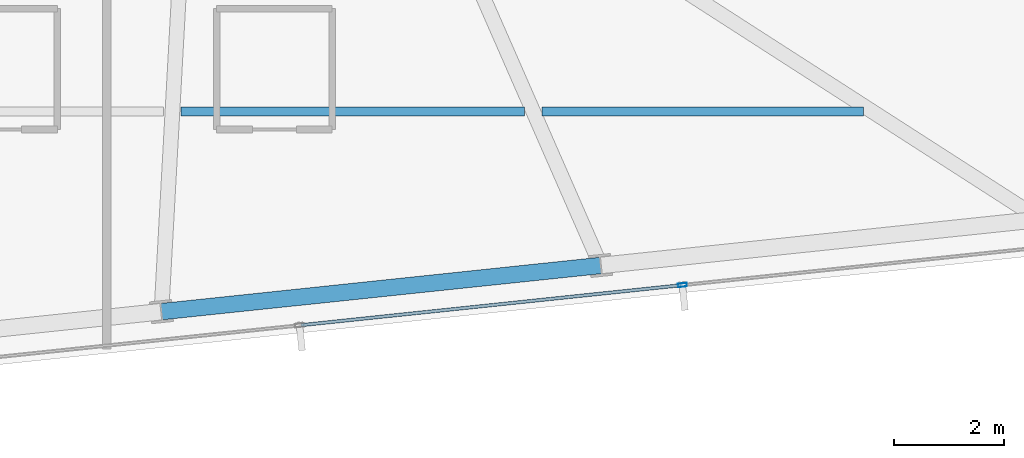
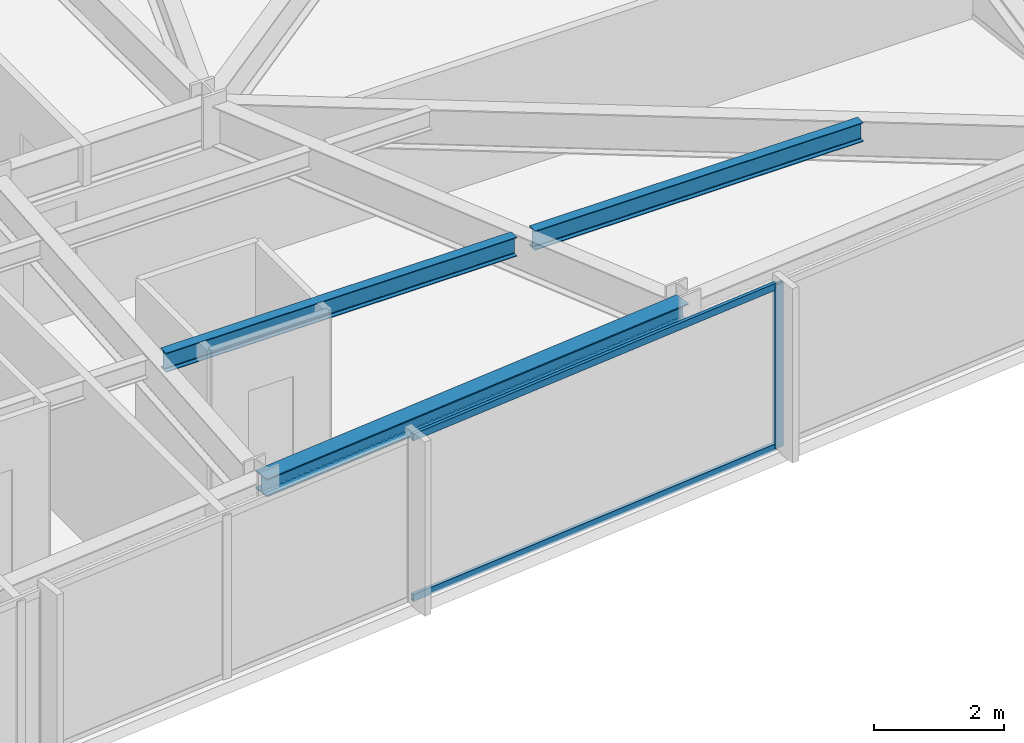
# One storey, part 15 of 33: 3 beams, 3 members, 1 element without a shape of its own.
"""IFC4 building model written with IfcOpenShell, lengths in metres."""

from ifc_helpers import new_model, si_unit, direction, frame, origin, origin_2d, place, context, subcontext, project, spatial, hollow_rectangle, i_section, extrude, material, material_profile, profile_set, type_object, element, aggregate, save


model = new_model("IFC4")

# Units and contexts
model_context = context("Model", 3, precision=1e-05, world=origin(), true_north=direction((0.0, 1.0)))
body_context = subcontext(model_context, "Body", "Model", "MODEL_VIEW")
ifc_project = project(units=[si_unit("LENGTHUNIT", "METRE"), si_unit("AREAUNIT", "SQUARE_METRE"), si_unit("VOLUMEUNIT", "CUBIC_METRE"), si_unit("PLANEANGLEUNIT", "RADIAN"), si_unit("MASSUNIT", "GRAM", prefix="KILO")], contexts=[model_context])

# Site, building, storey
site_placement = place(None, origin())
site = spatial("IfcSite", under=ifc_project, at=site_placement, CompositionType="ELEMENT")
building_placement = place(site_placement, origin())
building = spatial("IfcBuilding", under=site, at=building_placement, Name="Yelkora Congress Tower", CompositionType="ELEMENT")
storey_placement = place(building_placement, frame((0.0, 0.0, 237.5)))
storey = spatial("IfcBuildingStorey", under=building, at=storey_placement, Name="L66", CompositionType="ELEMENT", Elevation=237.5)

# Beams
ifc_material_1 = material(Name="Steel S355J2", Category="steel")
ifc_material_profile_1 = material_profile(ifc_material_1, i_section(OverallWidth=0.169921875, OverallDepth=0.360107421875, WebThickness=0.008056640625, FlangeThickness=0.0126953125, FilletRadius=0.01806640625, at=origin_2d()), Name="IPE 360")
ifc_profile_set_1 = profile_set([ifc_material_profile_1], Name="Steel S355J2")
beam_type_1 = type_object("IfcBeamType", Name="BM-JOIST-IPE360", PredefinedType="JOIST", material=ifc_profile_set_1)
beam_1_placement = place(storey_placement, frame((53.616455078125, 19.678466796875, 2.89990234375), z_axis=(1.0, 0.0, 0.0), x_axis=(0.0, 1.0, 0.0)))
element("IfcBeam", 1, at=beam_1_placement, inside=storey, type_object=beam_type_1, Name="L66 Composite Floor Joist 7", PredefinedType="JOIST", context=body_context, shape_type="SweptSolid", body=[
    extrude(i_section(OverallWidth=0.169921875, OverallDepth=0.360107421875, WebThickness=0.008056640625, FlangeThickness=0.0126953125, FilletRadius=0.01806640625, at=origin_2d()), origin(), (0.0, 0.0, 1.0), 6.2421875),
])
beam_2_placement = place(storey_placement, frame((60.1787109375, 19.678466796875, 2.89990234375), z_axis=(1.0, 0.0, 0.0), x_axis=(0.0, 1.0, 0.0)))
element("IfcBeam", 2, at=beam_2_placement, inside=storey, type_object=beam_type_1, Name="L66 Composite Floor Joist 8", PredefinedType="JOIST", context=body_context, shape_type="SweptSolid", body=[
    extrude(i_section(OverallWidth=0.169921875, OverallDepth=0.360107421875, WebThickness=0.008056640625, FlangeThickness=0.0126953125, FilletRadius=0.01806640625, at=origin_2d()), origin(), (0.0, 0.0, 1.0), 5.84619140625),
])
ifc_material_profile_2 = material_profile(ifc_material_1, i_section(OverallWidth=0.300048828125, OverallDepth=0.340087890625, WebThickness=0.011962890625, FlangeThickness=0.021484375, FilletRadius=0.027099609375, at=origin_2d()), Name="HEB 340")
ifc_profile_set_2 = profile_set([ifc_material_profile_2], Name="Steel S355J2")
beam_type_2 = type_object("IfcBeamType", Name="BM-SPAN-HEB340", PredefinedType="SPANDREL", material=ifc_profile_set_2)
beam_3_placement = place(storey_placement, frame((53.25634765625, 16.037353515625, 2.909912109375), z_axis=(0.994520097542, 0.104545567032, 0.0), x_axis=(-0.104545567032, 0.994520097542, 0.0)))
element("IfcBeam", 3, at=beam_3_placement, inside=storey, type_object=beam_type_2, Name="L66 Perimeter Beam 7", PredefinedType="SPANDREL", context=body_context, shape_type="SweptSolid", body=[
    extrude(i_section(OverallWidth=0.300048828125, OverallDepth=0.340087890625, WebThickness=0.011962890625, FlangeThickness=0.021484375, FilletRadius=0.027099609375, at=origin_2d()), origin(), (0.0, 0.0, 1.0), 8.033203125),
])

# Curtain wall, members
ifc_material_2 = material(Name="Anodised aluminium and insulated glass", Category="aluminium")
curtain_wall_type = type_object("IfcCurtainWallType", Name="CW-SYS-B4", PredefinedType="NOTDEFINED", material=ifc_material_2)
curtain_wall_placement = place(storey_placement, origin())
curtain_wall = element("IfcCurtainWall", 4, at=curtain_wall_placement, inside=storey, type_object=curtain_wall_type, Name="L66 Unitised Curtain Wall 20", PredefinedType="NOTDEFINED")
ifc_material_3 = material(Name="Anodised aluminium 6063-T6", Category="aluminium")
ifc_material_profile_3 = material_profile(ifc_material_3, hollow_rectangle(XDim=0.06494140625, YDim=0.159912109375, WallThickness=0.00390625, at=origin_2d()), Name="ALU 65x160x4")
ifc_profile_set_3 = profile_set([ifc_material_profile_3], Name="Anodised aluminium 6063-T6")
member_type_1 = type_object("IfcMemberType", Name="MEM-ML-B4", PredefinedType="MULLION", material=ifc_profile_set_3)
member_1_placement = place(storey_placement, frame((62.731689453125, 16.5205078125, 0.0), z_axis=(0.0, 0.0, 1.0), x_axis=(0.104526664994, -0.994522084373, 0.0)))
member_1 = element("IfcMember", 5, at=member_1_placement, type_object=member_type_1, Name="CW-B4 mullion 2", PredefinedType="MULLION", context=body_context, shape_type="SweptSolid", body=[
    extrude(hollow_rectangle(XDim=0.06494140625, YDim=0.159912109375, WallThickness=0.00390625, at=origin_2d()), origin(), (0.0, 0.0, 1.0), 3.080078125),
])
ifc_material_profile_4 = material_profile(ifc_material_3, hollow_rectangle(XDim=0.06005859375, YDim=0.1298828125, WallThickness=0.00390625, at=origin_2d()), Name="ALU 60x130x4")
ifc_profile_set_4 = profile_set([ifc_material_profile_4], Name="Anodised aluminium 6063-T6")
member_type_2 = type_object("IfcMemberType", Name="MEM-TR-B4", PredefinedType="USERDEFINED", material=ifc_profile_set_4)
member_2_placement = place(storey_placement, frame((62.69921875, 16.51708984375, 0.030029296875), z_axis=(-0.994519904787, -0.104547400648, 0.0), x_axis=(0.104547400648, -0.994519904787, 0.0)))
member_2 = element("IfcMember", 6, at=member_2_placement, type_object=member_type_2, Name="CW-B4 transom 2.1", ObjectType="TRANSOM", PredefinedType="USERDEFINED", context=body_context, shape_type="SweptSolid", body=[
    extrude(hollow_rectangle(XDim=0.06005859375, YDim=0.1298828125, WallThickness=0.00390625, at=origin_2d()), origin(), (0.0, 0.0, 1.0), 6.93798828125),
])
member_3_placement = place(storey_placement, frame((62.69921875, 16.51708984375, 3.050048828125), z_axis=(-0.994519904787, -0.104547400648, 0.0), x_axis=(0.104547400648, -0.994519904787, 0.0)))
member_3 = element("IfcMember", 7, at=member_3_placement, type_object=member_type_2, Name="CW-B4 transom 2.2", ObjectType="TRANSOM", PredefinedType="USERDEFINED", context=body_context, shape_type="SweptSolid", body=[
    extrude(hollow_rectangle(XDim=0.06005859375, YDim=0.1298828125, WallThickness=0.00390625, at=origin_2d()), origin(), (0.0, 0.0, 1.0), 6.93798828125),
])
aggregate(curtain_wall, [member_1, member_2, member_3])

save(model, "model.ifc")
